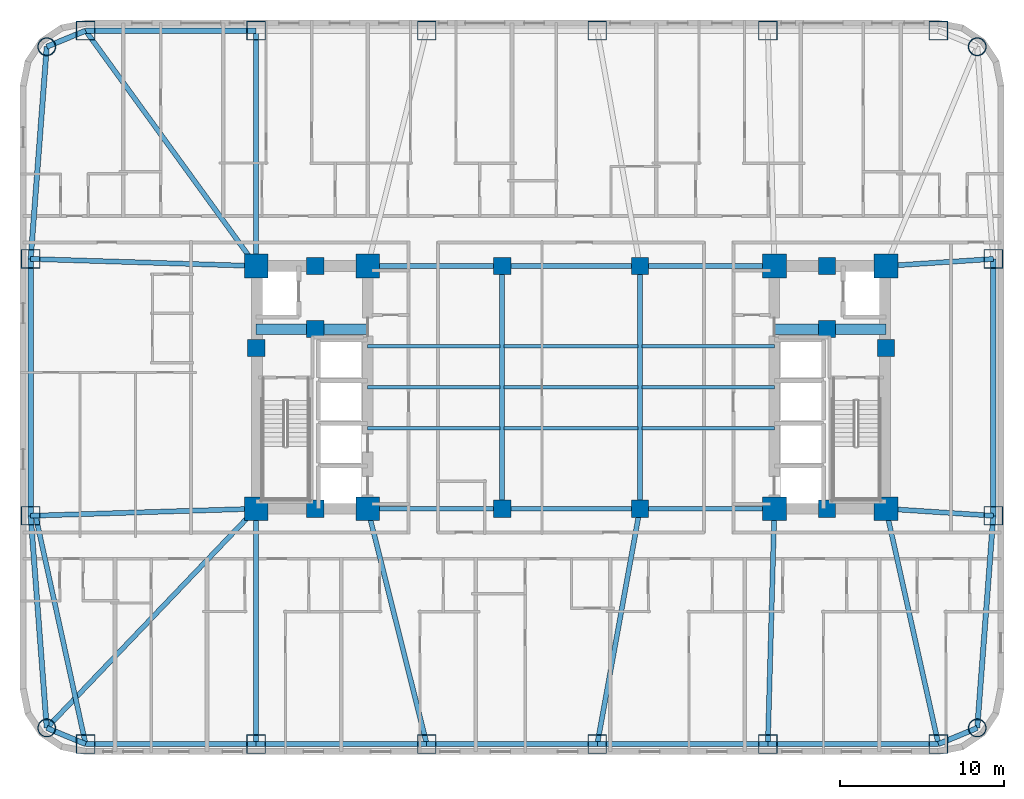
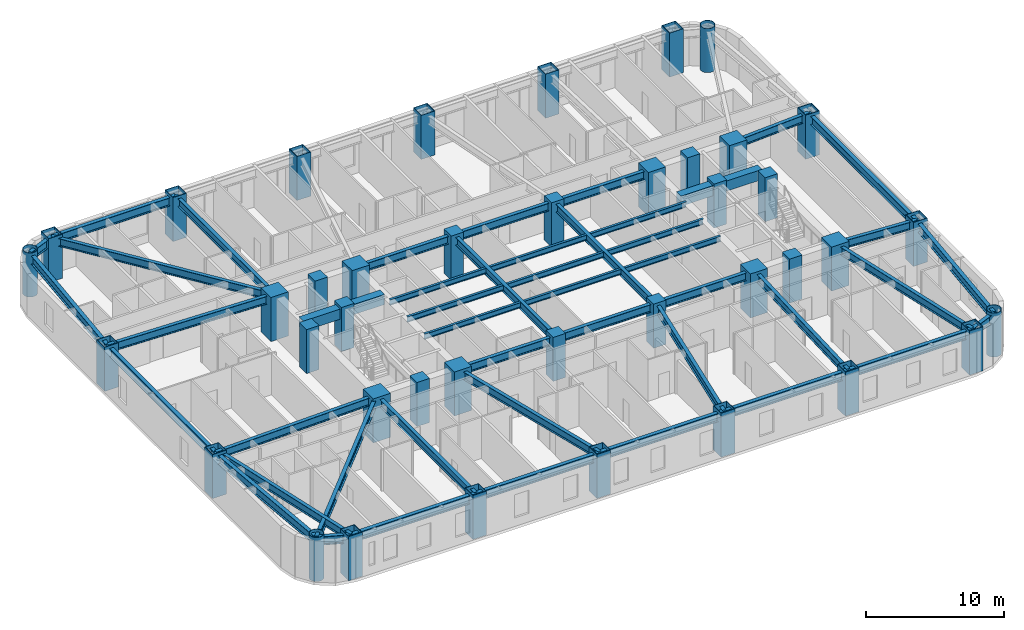
# One storey, part 1 of 12: 46 beams, 40 columns.
"""IFC4 building model written with IfcOpenShell, lengths in metres."""

from ifc_helpers import new_model, si_unit, direction, frame, origin, origin_2d, place, context, subcontext, project, spatial, rectangle, hollow_rectangle, hollow_circle, i_section, extrude, material, material_profile, profile_set, type_object, element, save


model = new_model("IFC4")

# Units and contexts
model_context = context("Model", 3, precision=1e-05, world=origin(), true_north=direction((0.0, 1.0)))
body_context = subcontext(model_context, "Body", "Model", "MODEL_VIEW")
ifc_project = project(units=[si_unit("LENGTHUNIT", "METRE"), si_unit("AREAUNIT", "SQUARE_METRE"), si_unit("VOLUMEUNIT", "CUBIC_METRE"), si_unit("PLANEANGLEUNIT", "RADIAN"), si_unit("MASSUNIT", "GRAM", prefix="KILO")], contexts=[model_context])

# Site, building, storey
site_placement = place(None, origin())
site = spatial("IfcSite", under=ifc_project, at=site_placement, CompositionType="ELEMENT")
building_placement = place(site_placement, origin())
building = spatial("IfcBuilding", under=site, at=building_placement, Name="Voryun Gate Residences", CompositionType="ELEMENT")
storey_placement = place(building_placement, frame((0.0, 0.0, 72.800048828125)))
storey = spatial("IfcBuildingStorey", under=building, at=storey_placement, Name="L17", CompositionType="ELEMENT", Elevation=72.800048828125)

# Columns
ifc_material_1 = material(Name="Concrete C50/60", Category="concrete")
ifc_material_profile_1 = material_profile(ifc_material_1, rectangle(XDim=1.050048828125, YDim=1.050048828125, at=origin_2d()), Name="RC-1050x1050")
ifc_profile_set_1 = profile_set([ifc_material_profile_1], Name="Concrete C50/60")
column_type_1 = type_object("IfcColumnType", Name="COL_CORE_1050", PredefinedType="COLUMN", material=ifc_profile_set_1)
for number, where, z_axis, x_axis, name in (
    (1, (-19.199951171875, 2.39990234375, 0.0), (0.0, 0.0, 1.0), (1.0, 0.0, 0.0), "L17 Core boundary column WC-MW"),
    (2, (-15.60009765625, -7.39990234375, 0.0), (0.0, 0.0, 1.0), (1.0, 0.0, 0.0), "L17 Core boundary column WC-SM"),
    (3, (-15.60009765625, 7.39990234375, 0.0), (0.0, 0.0, 1.0), (1.0, 0.0, 0.0), "L17 Core boundary column WC-NM"),
    (4, (-15.60009765625, 3.550048828125, 0.0), (0.0, 0.0, 1.0), (1.0, 0.0, 0.0), "L17 Core boundary column WC-MM"),
    (5, (15.60009765625, 3.550048828125, 0.0), (0.0, 0.0, 1.0), (1.0, 0.0, 0.0), "L17 Core boundary column EC-MM"),
    (6, (15.60009765625, -7.39990234375, 0.0), (0.0, 0.0, 1.0), (1.0, 0.0, 0.0), "L17 Core boundary column EC-SM"),
    (7, (15.60009765625, 7.39990234375, 0.0), (0.0, 0.0, 1.0), (1.0, 0.0, 0.0), "L17 Core boundary column EC-NM"),
    (8, (19.199951171875, 2.39990234375, 0.0), (0.0, 0.0, 1.0), (1.0, 0.0, 0.0), "L17 Core boundary column EC-ME"),
    (9, (-4.199951171875, -7.39990234375, 0.0), (0.0, 0.0, 1.0), (1.0, 0.0, 0.0), "L17 Interior spine column SP-WS"),
    (10, (-4.199951171875, 7.39990234375, 0.0), (0.0, 0.0, 1.0), (1.0, 0.0, 0.0), "L17 Interior spine column SP-WN"),
    (11, (4.199951171875, -7.39990234375, 0.0), (0.0, 0.0, 1.0), (1.0, 0.0, 0.0), "L17 Interior spine column SP-ES"),
    (12, (4.199951171875, 7.39990234375, 0.0), (0.0, 0.0, 1.0), (1.0, 0.0, 0.0), "L17 Interior spine column SP-EN"),
):
    element("IfcColumn", number, at=place(storey_placement, frame(where, z_axis=z_axis, x_axis=x_axis)), inside=storey, type_object=column_type_1, Name=name, PredefinedType="COLUMN", context=body_context, shape_type="SweptSolid", body=[
        extrude(rectangle(XDim=1.050048828125, YDim=1.050048828125, at=origin_2d()), origin(), (0.0, 0.0, 1.0), 3.89990234375),
    ])
ifc_material_2 = material(Name="Steel SM420", Category="steel")
ifc_material_profile_2 = material_profile(ifc_material_2, hollow_circle(Radius=0.550048828125, WallThickness=0.035888671875, at=origin_2d()), Name="CHS-1100x36")
ifc_profile_set_2 = profile_set([ifc_material_profile_2], Name="Steel SM420")
column_type_2 = type_object("IfcColumnType", Name="COL_CRN_1100", PredefinedType="COLUMN", material=ifc_profile_set_2)
for number, where, z_axis, x_axis, name in (
    (13, (24.768798828125, -20.768798828125, 0.0), (0.0, 0.0, 1.0), (1.0, 0.0, 0.0), "L17 Exoskeleton column CSE"),
    (14, (24.768798828125, 20.768798828125, 0.0), (0.0, 0.0, 1.0), (1.0, 0.0, 0.0), "L17 Exoskeleton column CNE"),
    (15, (-31.96875, 20.768798828125, 0.0), (0.0, 0.0, 1.0), (1.0, 0.0, 0.0), "L17 Exoskeleton column CNW"),
    (16, (-31.96875, -20.768798828125, 0.0), (0.0, 0.0, 1.0), (1.0, 0.0, 0.0), "L17 Exoskeleton column CSW"),
):
    element("IfcColumn", number, at=place(storey_placement, frame(where, z_axis=z_axis, x_axis=x_axis)), inside=storey, type_object=column_type_2, Name=name, PredefinedType="COLUMN", context=body_context, shape_type="SweptSolid", body=[
        extrude(hollow_circle(Radius=0.550048828125, WallThickness=0.035888671875, at=origin_2d()), origin(), (0.0, 0.0, 1.0), 3.89990234375),
    ])
ifc_material_3 = material(Name="Steel SM420", Category="steel")
ifc_material_profile_3 = material_profile(ifc_material_3, hollow_rectangle(XDim=1.14990234375, YDim=1.14990234375, WallThickness=0.0400390625, at=origin_2d()), Name="BOX-1150x1150x40")
ifc_profile_set_3 = profile_set([ifc_material_profile_3], Name="Steel SM420")
column_type_3 = type_object("IfcColumnType", Name="COL_EXO_B1", PredefinedType="COLUMN", material=ifc_profile_set_3)
for number, where, z_axis, x_axis, name in (
    (17, (-29.60009765625, -21.75, 0.0), (0.0, 0.0, 1.0), (1.0, 0.0, 0.0), "L17 Exoskeleton column S1"),
    (18, (-19.199951171875, -21.75, 0.0), (0.0, 0.0, 1.0), (1.0, 0.0, 0.0), "L17 Exoskeleton column S2"),
    (19, (-8.800048828125, -21.75, 0.0), (0.0, 0.0, 1.0), (1.0, 0.0, 0.0), "L17 Exoskeleton column S3"),
    (20, (1.60009765625, -21.75, 0.0), (0.0, 0.0, 1.0), (1.0, 0.0, 0.0), "L17 Exoskeleton column S4"),
    (21, (12.0, -21.75, 0.0), (0.0, 0.0, 1.0), (1.0, 0.0, 0.0), "L17 Exoskeleton column S5"),
    (22, (22.39990234375, -21.75, 0.0), (0.0, 0.0, 1.0), (1.0, 0.0, 0.0), "L17 Exoskeleton column S6"),
    (23, (25.75, -7.830078125, 0.0), (0.0, 0.0, 1.0), (1.0, 0.0, 0.0), "L17 Exoskeleton column E1"),
    (24, (25.75, 7.830078125, 0.0), (0.0, 0.0, 1.0), (1.0, 0.0, 0.0), "L17 Exoskeleton column E2"),
    (25, (22.39990234375, 21.75, 0.0), (0.0, 0.0, 1.0), (1.0, 0.0, 0.0), "L17 Exoskeleton column N1"),
    (26, (12.0, 21.75, 0.0), (0.0, 0.0, 1.0), (1.0, 0.0, 0.0), "L17 Exoskeleton column N2"),
    (27, (1.60009765625, 21.75, 0.0), (0.0, 0.0, 1.0), (1.0, 0.0, 0.0), "L17 Exoskeleton column N3"),
    (28, (-8.800048828125, 21.75, 0.0), (0.0, 0.0, 1.0), (1.0, 0.0, 0.0), "L17 Exoskeleton column N4"),
    (29, (-19.199951171875, 21.75, 0.0), (0.0, 0.0, 1.0), (1.0, 0.0, 0.0), "L17 Exoskeleton column N5"),
    (30, (-29.60009765625, 21.75, 0.0), (0.0, 0.0, 1.0), (1.0, 0.0, 0.0), "L17 Exoskeleton column N6"),
    (31, (-32.949951171875, 7.830078125, 0.0), (0.0, 0.0, 1.0), (1.0, 0.0, 0.0), "L17 Exoskeleton column W1"),
    (32, (-32.949951171875, -7.830078125, 0.0), (0.0, 0.0, 1.0), (1.0, 0.0, 0.0), "L17 Exoskeleton column W2"),
):
    element("IfcColumn", number, at=place(storey_placement, frame(where, z_axis=z_axis, x_axis=x_axis)), inside=storey, type_object=column_type_3, Name=name, PredefinedType="COLUMN", context=body_context, shape_type="SweptSolid", body=[
        extrude(hollow_rectangle(XDim=1.14990234375, YDim=1.14990234375, WallThickness=0.0400390625, at=origin_2d()), origin(), (0.0, 0.0, 1.0), 3.89990234375),
    ])
ifc_material_4 = material(Name="Concrete C60/75", Category="concrete")
ifc_material_profile_4 = material_profile(ifc_material_4, rectangle(XDim=1.449951171875, YDim=1.449951171875, at=origin_2d()), Name="RC-1450x1450")
ifc_profile_set_4 = profile_set([ifc_material_profile_4], Name="Concrete C60/75")
column_type_4 = type_object("IfcColumnType", Name="COL_MEGA_1450", PredefinedType="COLUMN", material=ifc_profile_set_4)
for number, where, z_axis, x_axis, name in (
    (33, (-19.199951171875, -7.39990234375, 0.0), (0.0, 0.0, 1.0), (1.0, 0.0, 0.0), "L17 Core boundary column WC-SW"),
    (34, (-19.199951171875, 7.39990234375, 0.0), (0.0, 0.0, 1.0), (1.0, 0.0, 0.0), "L17 Core boundary column WC-NW"),
    (35, (-12.39990234375, -7.39990234375, 0.0), (0.0, 0.0, 1.0), (1.0, 0.0, 0.0), "L17 Core boundary column WC-SE"),
    (36, (-12.39990234375, 7.39990234375, 0.0), (0.0, 0.0, 1.0), (1.0, 0.0, 0.0), "L17 Core boundary column WC-NE"),
    (37, (12.39990234375, -7.39990234375, 0.0), (0.0, 0.0, 1.0), (1.0, 0.0, 0.0), "L17 Core boundary column EC-SW"),
    (38, (12.39990234375, 7.39990234375, 0.0), (0.0, 0.0, 1.0), (1.0, 0.0, 0.0), "L17 Core boundary column EC-NW"),
    (39, (19.199951171875, -7.39990234375, 0.0), (0.0, 0.0, 1.0), (1.0, 0.0, 0.0), "L17 Core boundary column EC-SE"),
    (40, (19.199951171875, 7.39990234375, 0.0), (0.0, 0.0, 1.0), (1.0, 0.0, 0.0), "L17 Core boundary column EC-NE"),
):
    element("IfcColumn", number, at=place(storey_placement, frame(where, z_axis=z_axis, x_axis=x_axis)), inside=storey, type_object=column_type_4, Name=name, PredefinedType="COLUMN", context=body_context, shape_type="SweptSolid", body=[
        extrude(rectangle(XDim=1.449951171875, YDim=1.449951171875, at=origin_2d()), origin(), (0.0, 0.0, 1.0), 3.89990234375),
    ])

# Beams
ifc_material_5 = material(Name="Concrete C60/75", Category="concrete")
ifc_material_profile_5 = material_profile(ifc_material_5, rectangle(XDim=0.64990234375, YDim=0.89990234375, at=origin_2d()), Name="RC-650x900")
ifc_profile_set_5 = profile_set([ifc_material_profile_5], Name="Concrete C60/75")
beam_type_1 = type_object("IfcBeamType", Name="BM_COUP_RC900", PredefinedType="LINTEL", material=ifc_profile_set_5)
for number, where, z_axis, x_axis, name in (
    (41, (-19.199951171875, 3.550048828125, 3.199951171875), (1.0, 0.0, 0.0), (0.0, 1.0, 0.0), "BM-L17-WC1"),
    (42, (12.39990234375, 3.550048828125, 3.199951171875), (1.0, 0.0, 0.0), (0.0, 1.0, 0.0), "BM-L17-EC1"),
):
    element("IfcBeam", number, at=place(storey_placement, frame(where, z_axis=z_axis, x_axis=x_axis)), inside=storey, type_object=beam_type_1, Name=name, PredefinedType="LINTEL", context=body_context, shape_type="SweptSolid", body=[
        extrude(rectangle(XDim=0.64990234375, YDim=0.89990234375, at=origin_2d()), origin(), (0.0, 0.0, 1.0), 6.800048828125),
    ])
ifc_material_6 = material(Name="Steel SM355", Category="steel")
ifc_material_profile_6 = material_profile(ifc_material_6, i_section(OverallWidth=0.320068359375, OverallDepth=0.75, WebThickness=0.01611328125, FlangeThickness=0.028076171875, FilletRadius=0.01806640625, at=origin_2d()), Name="H-750x320x16x28")
ifc_profile_set_6 = profile_set([ifc_material_profile_6], Name="Steel SM355")
beam_type_2 = type_object("IfcBeamType", Name="BM_EXO_SPANDREL_L", PredefinedType="SPANDREL", material=ifc_profile_set_6)
beam_1_placement = place(storey_placement, frame((-29.60009765625, -21.75, 3.27490234375), z_axis=(1.0, 0.0, 0.0), x_axis=(0.0, 1.0, 0.0)))
element("IfcBeam", 43, at=beam_1_placement, inside=storey, type_object=beam_type_2, Name="BM-L17-SPAND-01", PredefinedType="SPANDREL", context=body_context, shape_type="SweptSolid", body=[
    extrude(i_section(OverallWidth=0.320068359375, OverallDepth=0.75, WebThickness=0.01611328125, FlangeThickness=0.028076171875, FilletRadius=0.01806640625, at=origin_2d()), origin(), (0.0, 0.0, 1.0), 10.400146484375),
])
beam_2_placement = place(storey_placement, frame((-19.199951171875, -21.75, 3.27490234375), z_axis=(1.0, 0.0, 0.0), x_axis=(0.0, 1.0, 0.0)))
element("IfcBeam", 44, at=beam_2_placement, inside=storey, type_object=beam_type_2, Name="BM-L17-SPAND-02", PredefinedType="SPANDREL", context=body_context, shape_type="SweptSolid", body=[
    extrude(i_section(OverallWidth=0.320068359375, OverallDepth=0.75, WebThickness=0.01611328125, FlangeThickness=0.028076171875, FilletRadius=0.01806640625, at=origin_2d()), origin(), (0.0, 0.0, 1.0), 10.39990234375),
])
beam_3_placement = place(storey_placement, frame((-8.800048828125, -21.75, 3.27490234375), z_axis=(1.0, 0.0, 0.0), x_axis=(0.0, 1.0, 0.0)))
element("IfcBeam", 45, at=beam_3_placement, inside=storey, type_object=beam_type_2, Name="BM-L17-SPAND-03", PredefinedType="SPANDREL", context=body_context, shape_type="SweptSolid", body=[
    extrude(i_section(OverallWidth=0.320068359375, OverallDepth=0.75, WebThickness=0.01611328125, FlangeThickness=0.028076171875, FilletRadius=0.01806640625, at=origin_2d()), origin(), (0.0, 0.0, 1.0), 10.400146484375),
])
for number, where, z_axis, x_axis, name in (
    (46, (1.60009765625, -21.75, 3.27490234375), (1.0, 0.0, 0.0), (0.0, 1.0, 0.0), "BM-L17-SPAND-04"),
    (47, (12.0, -21.75, 3.27490234375), (1.0, 0.0, 0.0), (0.0, 1.0, 0.0), "BM-L17-SPAND-05"),
):
    element("IfcBeam", number, at=place(storey_placement, frame(where, z_axis=z_axis, x_axis=x_axis)), inside=storey, type_object=beam_type_2, Name=name, PredefinedType="SPANDREL", context=body_context, shape_type="SweptSolid", body=[
        extrude(i_section(OverallWidth=0.320068359375, OverallDepth=0.75, WebThickness=0.01611328125, FlangeThickness=0.028076171875, FilletRadius=0.01806640625, at=origin_2d()), origin(), (0.0, 0.0, 1.0), 10.39990234375),
    ])
beam_4_placement = place(storey_placement, frame((22.39990234375, -21.75, 3.27490234375), z_axis=(0.923883376753, 0.382674151414, 0.0), x_axis=(-0.382674151414, 0.923883376753, 0.0)))
element("IfcBeam", 48, at=beam_4_placement, inside=storey, type_object=beam_type_2, Name="BM-L17-SPAND-06", PredefinedType="SPANDREL", context=body_context, shape_type="SweptSolid", body=[
    extrude(i_section(OverallWidth=0.320068359375, OverallDepth=0.75, WebThickness=0.01611328125, FlangeThickness=0.028076171875, FilletRadius=0.01806640625, at=origin_2d()), origin(), (0.0, 0.0, 1.0), 2.56396484375),
])
beam_5_placement = place(storey_placement, frame((24.768798828125, -20.768798828125, 3.27490234375), z_axis=(0.075617360159, 0.997136908776, 0.0), x_axis=(-0.997136908776, 0.075617360159, 0.0)))
element("IfcBeam", 49, at=beam_5_placement, inside=storey, type_object=beam_type_2, Name="BM-L17-SPAND-07", PredefinedType="SPANDREL", context=body_context, shape_type="SweptSolid", body=[
    extrude(i_section(OverallWidth=0.320068359375, OverallDepth=0.75, WebThickness=0.01611328125, FlangeThickness=0.028076171875, FilletRadius=0.01806640625, at=origin_2d()), origin(), (0.0, 0.0, 1.0), 12.975830078125),
])
beam_6_placement = place(storey_placement, frame((25.75, -7.830078125, 3.27490234375), z_axis=(0.0, 1.0, 0.0), x_axis=(-1.0, 0.0, 0.0)))
element("IfcBeam", 50, at=beam_6_placement, inside=storey, type_object=beam_type_2, Name="BM-L17-SPAND-08", PredefinedType="SPANDREL", context=body_context, shape_type="SweptSolid", body=[
    extrude(i_section(OverallWidth=0.320068359375, OverallDepth=0.75, WebThickness=0.01611328125, FlangeThickness=0.028076171875, FilletRadius=0.01806640625, at=origin_2d()), origin(), (0.0, 0.0, 1.0), 15.66015625),
])
beam_7_placement = place(storey_placement, frame((-19.199951171875, 21.75, 3.27490234375), z_axis=(-1.0, 0.0, 0.0), x_axis=(0.0, -1.0, 0.0)))
element("IfcBeam", 51, at=beam_7_placement, inside=storey, type_object=beam_type_2, Name="BM-L17-SPAND-15", PredefinedType="SPANDREL", context=body_context, shape_type="SweptSolid", body=[
    extrude(i_section(OverallWidth=0.320068359375, OverallDepth=0.75, WebThickness=0.01611328125, FlangeThickness=0.028076171875, FilletRadius=0.01806640625, at=origin_2d()), origin(), (0.0, 0.0, 1.0), 10.400146484375),
])
beam_8_placement = place(storey_placement, frame((-29.60009765625, 21.75, 3.27490234375), z_axis=(-0.92386943149, -0.382707817477, 0.0), x_axis=(0.382707817477, -0.92386943149, 0.0)))
element("IfcBeam", 52, at=beam_8_placement, inside=storey, type_object=beam_type_2, Name="BM-L17-SPAND-16", PredefinedType="SPANDREL", context=body_context, shape_type="SweptSolid", body=[
    extrude(i_section(OverallWidth=0.320068359375, OverallDepth=0.75, WebThickness=0.01611328125, FlangeThickness=0.028076171875, FilletRadius=0.01806640625, at=origin_2d()), origin(), (0.0, 0.0, 1.0), 2.563720703125),
])
beam_9_placement = place(storey_placement, frame((-31.96875, 20.768798828125, 3.27490234375), z_axis=(-0.075617360159, -0.997136908776, 0.0), x_axis=(0.997136908776, -0.075617360159, 0.0)))
element("IfcBeam", 53, at=beam_9_placement, inside=storey, type_object=beam_type_2, Name="BM-L17-SPAND-17", PredefinedType="SPANDREL", context=body_context, shape_type="SweptSolid", body=[
    extrude(i_section(OverallWidth=0.320068359375, OverallDepth=0.75, WebThickness=0.01611328125, FlangeThickness=0.028076171875, FilletRadius=0.01806640625, at=origin_2d()), origin(), (0.0, 0.0, 1.0), 12.975830078125),
])
beam_10_placement = place(storey_placement, frame((-32.949951171875, 7.830078125, 3.27490234375), z_axis=(0.0, -1.0, 0.0), x_axis=(1.0, 0.0, 0.0)))
element("IfcBeam", 54, at=beam_10_placement, inside=storey, type_object=beam_type_2, Name="BM-L17-SPAND-18", PredefinedType="SPANDREL", context=body_context, shape_type="SweptSolid", body=[
    extrude(i_section(OverallWidth=0.320068359375, OverallDepth=0.75, WebThickness=0.01611328125, FlangeThickness=0.028076171875, FilletRadius=0.01806640625, at=origin_2d()), origin(), (0.0, 0.0, 1.0), 15.66015625),
])
beam_11_placement = place(storey_placement, frame((-32.949951171875, -7.830078125, 3.27490234375), z_axis=(0.075617360159, -0.997136908776, 0.0), x_axis=(0.997136908776, 0.075617360159, 0.0)))
element("IfcBeam", 55, at=beam_11_placement, inside=storey, type_object=beam_type_2, Name="BM-L17-SPAND-19", PredefinedType="SPANDREL", context=body_context, shape_type="SweptSolid", body=[
    extrude(i_section(OverallWidth=0.320068359375, OverallDepth=0.75, WebThickness=0.01611328125, FlangeThickness=0.028076171875, FilletRadius=0.01806640625, at=origin_2d()), origin(), (0.0, 0.0, 1.0), 12.975830078125),
])
beam_12_placement = place(storey_placement, frame((-31.96875, -20.768798828125, 3.27490234375), z_axis=(0.92386943149, -0.382707817477, 0.0), x_axis=(0.382707817477, 0.92386943149, 0.0)))
element("IfcBeam", 56, at=beam_12_placement, inside=storey, type_object=beam_type_2, Name="BM-L17-SPAND-20", PredefinedType="SPANDREL", context=body_context, shape_type="SweptSolid", body=[
    extrude(i_section(OverallWidth=0.320068359375, OverallDepth=0.75, WebThickness=0.01611328125, FlangeThickness=0.028076171875, FilletRadius=0.01806640625, at=origin_2d()), origin(), (0.0, 0.0, 1.0), 2.563720703125),
])
ifc_material_7 = material(Name="Steel SM355", Category="steel")
ifc_material_profile_7 = material_profile(ifc_material_7, i_section(OverallWidth=0.300048828125, OverallDepth=0.699951171875, WebThickness=0.012939453125, FlangeThickness=0.02392578125, FilletRadius=0.01806640625, at=origin_2d()), Name="H-700x300x13x24")
ifc_profile_set_7 = profile_set([ifc_material_profile_7], Name="Steel SM355")
beam_type_3 = type_object("IfcBeamType", Name="BM_GIRD_700", PredefinedType="USERDEFINED", material=ifc_profile_set_7)
beam_13_placement = place(storey_placement, frame((-12.39990234375, -7.39990234375, 3.300048828125), z_axis=(1.0, 0.0, 0.0), x_axis=(0.0, 1.0, 0.0)))
element("IfcBeam", 57, at=beam_13_placement, inside=storey, type_object=beam_type_3, Name="BM-L17-SPG1-S", ObjectType="GIRDER", PredefinedType="USERDEFINED", context=body_context, shape_type="SweptSolid", body=[
    extrude(i_section(OverallWidth=0.300048828125, OverallDepth=0.699951171875, WebThickness=0.012939453125, FlangeThickness=0.02392578125, FilletRadius=0.01806640625, at=origin_2d()), origin(), (0.0, 0.0, 1.0), 8.199951171875),
])
beam_14_placement = place(storey_placement, frame((-4.199951171875, -7.39990234375, 3.300048828125), z_axis=(1.0, 0.0, 0.0), x_axis=(0.0, 1.0, 0.0)))
element("IfcBeam", 58, at=beam_14_placement, inside=storey, type_object=beam_type_3, Name="BM-L17-SPG2-S", ObjectType="GIRDER", PredefinedType="USERDEFINED", context=body_context, shape_type="SweptSolid", body=[
    extrude(i_section(OverallWidth=0.300048828125, OverallDepth=0.699951171875, WebThickness=0.012939453125, FlangeThickness=0.02392578125, FilletRadius=0.01806640625, at=origin_2d()), origin(), (0.0, 0.0, 1.0), 8.39990234375),
])
for number, where, z_axis, x_axis, name in (
    (59, (4.199951171875, -7.39990234375, 3.300048828125), (1.0, 0.0, 0.0), (0.0, 1.0, 0.0), "BM-L17-SPG3-S"),
    (60, (-12.39990234375, 7.39990234375, 3.300048828125), (1.0, 0.0, 0.0), (0.0, 1.0, 0.0), "BM-L17-SPG1-N"),
):
    element("IfcBeam", number, at=place(storey_placement, frame(where, z_axis=z_axis, x_axis=x_axis)), inside=storey, type_object=beam_type_3, Name=name, ObjectType="GIRDER", PredefinedType="USERDEFINED", context=body_context, shape_type="SweptSolid", body=[
        extrude(i_section(OverallWidth=0.300048828125, OverallDepth=0.699951171875, WebThickness=0.012939453125, FlangeThickness=0.02392578125, FilletRadius=0.01806640625, at=origin_2d()), origin(), (0.0, 0.0, 1.0), 8.199951171875),
    ])
beam_15_placement = place(storey_placement, frame((-4.199951171875, 7.39990234375, 3.300048828125), z_axis=(1.0, 0.0, 0.0), x_axis=(0.0, 1.0, 0.0)))
element("IfcBeam", 61, at=beam_15_placement, inside=storey, type_object=beam_type_3, Name="BM-L17-SPG2-N", ObjectType="GIRDER", PredefinedType="USERDEFINED", context=body_context, shape_type="SweptSolid", body=[
    extrude(i_section(OverallWidth=0.300048828125, OverallDepth=0.699951171875, WebThickness=0.012939453125, FlangeThickness=0.02392578125, FilletRadius=0.01806640625, at=origin_2d()), origin(), (0.0, 0.0, 1.0), 8.39990234375),
])
beam_16_placement = place(storey_placement, frame((4.199951171875, 7.39990234375, 3.300048828125), z_axis=(1.0, 0.0, 0.0), x_axis=(0.0, 1.0, 0.0)))
element("IfcBeam", 62, at=beam_16_placement, inside=storey, type_object=beam_type_3, Name="BM-L17-SPG3-N", ObjectType="GIRDER", PredefinedType="USERDEFINED", context=body_context, shape_type="SweptSolid", body=[
    extrude(i_section(OverallWidth=0.300048828125, OverallDepth=0.699951171875, WebThickness=0.012939453125, FlangeThickness=0.02392578125, FilletRadius=0.01806640625, at=origin_2d()), origin(), (0.0, 0.0, 1.0), 8.199951171875),
])
for number, where, z_axis, x_axis, name in (
    (63, (-4.199951171875, -7.39990234375, 3.300048828125), (0.0, 1.0, 0.0), (-1.0, 0.0, 0.0), "BM-L17-SPX-W"),
    (64, (4.199951171875, -7.39990234375, 3.300048828125), (0.0, 1.0, 0.0), (-1.0, 0.0, 0.0), "BM-L17-SPX-E"),
):
    element("IfcBeam", number, at=place(storey_placement, frame(where, z_axis=z_axis, x_axis=x_axis)), inside=storey, type_object=beam_type_3, Name=name, ObjectType="GIRDER", PredefinedType="USERDEFINED", context=body_context, shape_type="SweptSolid", body=[
        extrude(i_section(OverallWidth=0.300048828125, OverallDepth=0.699951171875, WebThickness=0.012939453125, FlangeThickness=0.02392578125, FilletRadius=0.01806640625, at=origin_2d()), origin(), (0.0, 0.0, 1.0), 14.7998046875),
    ])
beam_17_placement = place(storey_placement, frame((-32.64990234375, -7.830078125, 3.300048828125), z_axis=(0.214019782918, -0.976829326198, 0.0), x_axis=(0.976829326198, 0.214019782918, 0.0)))
element("IfcBeam", 65, at=beam_17_placement, inside=storey, type_object=beam_type_3, Name="BM-L17-RAD-S1", ObjectType="GIRDER", PredefinedType="USERDEFINED", context=body_context, shape_type="SweptSolid", body=[
    extrude(i_section(OverallWidth=0.300048828125, OverallDepth=0.699951171875, WebThickness=0.012939453125, FlangeThickness=0.02392578125, FilletRadius=0.01806640625, at=origin_2d()), origin(), (0.0, 0.0, 1.0), 14.25),
])
beam_18_placement = place(storey_placement, frame((-19.199951171875, -7.39990234375, 3.300048828125), z_axis=(0.0, -1.0, 0.0), x_axis=(1.0, 0.0, 0.0)))
element("IfcBeam", 66, at=beam_18_placement, inside=storey, type_object=beam_type_3, Name="BM-L17-RAD-S2", ObjectType="GIRDER", PredefinedType="USERDEFINED", context=body_context, shape_type="SweptSolid", body=[
    extrude(i_section(OverallWidth=0.300048828125, OverallDepth=0.699951171875, WebThickness=0.012939453125, FlangeThickness=0.02392578125, FilletRadius=0.01806640625, at=origin_2d()), origin(), (0.0, 0.0, 1.0), 14.35009765625),
])
beam_19_placement = place(storey_placement, frame((-12.39990234375, -7.39990234375, 3.300048828125), z_axis=(0.243319869291, -0.969946102218, 0.0), x_axis=(0.969946102218, 0.243319869291, 0.0)))
element("IfcBeam", 67, at=beam_19_placement, inside=storey, type_object=beam_type_3, Name="BM-L17-RAD-S3", ObjectType="GIRDER", PredefinedType="USERDEFINED", context=body_context, shape_type="SweptSolid", body=[
    extrude(i_section(OverallWidth=0.300048828125, OverallDepth=0.699951171875, WebThickness=0.012939453125, FlangeThickness=0.02392578125, FilletRadius=0.01806640625, at=origin_2d()), origin(), (0.0, 0.0, 1.0), 14.794677734375),
])
beam_20_placement = place(storey_placement, frame((4.199951171875, -7.39990234375, 3.300048828125), z_axis=(-0.178271088758, -0.983981411874, 0.0), x_axis=(0.983981411874, -0.178271088758, 0.0)))
element("IfcBeam", 68, at=beam_20_placement, inside=storey, type_object=beam_type_3, Name="BM-L17-RAD-S4", ObjectType="GIRDER", PredefinedType="USERDEFINED", context=body_context, shape_type="SweptSolid", body=[
    extrude(i_section(OverallWidth=0.300048828125, OverallDepth=0.699951171875, WebThickness=0.012939453125, FlangeThickness=0.02392578125, FilletRadius=0.01806640625, at=origin_2d()), origin(), (0.0, 0.0, 1.0), 14.583740234375),
])
beam_21_placement = place(storey_placement, frame((12.39990234375, -7.39990234375, 3.300048828125), z_axis=(-0.0278567548, -0.999611925305, 0.0), x_axis=(0.999611925305, -0.0278567548, 0.0)))
element("IfcBeam", 69, at=beam_21_placement, inside=storey, type_object=beam_type_3, Name="BM-L17-RAD-S5", ObjectType="GIRDER", PredefinedType="USERDEFINED", context=body_context, shape_type="SweptSolid", body=[
    extrude(i_section(OverallWidth=0.300048828125, OverallDepth=0.699951171875, WebThickness=0.012939453125, FlangeThickness=0.02392578125, FilletRadius=0.01806640625, at=origin_2d()), origin(), (0.0, 0.0, 1.0), 14.355712890625),
])
beam_22_placement = place(storey_placement, frame((19.199951171875, -7.39990234375, 3.300048828125), z_axis=(0.217645991352, -0.976027777498, 0.0), x_axis=(0.976027777498, 0.217645991352, 0.0)))
element("IfcBeam", 70, at=beam_22_placement, inside=storey, type_object=beam_type_3, Name="BM-L17-RAD-S6", ObjectType="GIRDER", PredefinedType="USERDEFINED", context=body_context, shape_type="SweptSolid", body=[
    extrude(i_section(OverallWidth=0.300048828125, OverallDepth=0.699951171875, WebThickness=0.012939453125, FlangeThickness=0.02392578125, FilletRadius=0.01806640625, at=origin_2d()), origin(), (0.0, 0.0, 1.0), 14.70263671875),
])
for number, where, z_axis, x_axis, name in (
    (71, (19.199951171875, -7.39990234375, 3.300048828125), (0.997850335415, -0.06553402255, 0.0), (0.06553402255, 0.997850335415, 0.0), "BM-L17-RAD-E1"),
    (72, (19.199951171875, 7.39990234375, 3.300048828125), (0.997850335415, 0.06553402255, 0.0), (-0.06553402255, 0.997850335415, 0.0), "BM-L17-RAD-E2"),
):
    element("IfcBeam", number, at=place(storey_placement, frame(where, z_axis=z_axis, x_axis=x_axis)), inside=storey, type_object=beam_type_3, Name=name, ObjectType="GIRDER", PredefinedType="USERDEFINED", context=body_context, shape_type="SweptSolid", body=[
        extrude(i_section(OverallWidth=0.300048828125, OverallDepth=0.699951171875, WebThickness=0.012939453125, FlangeThickness=0.02392578125, FilletRadius=0.01806640625, at=origin_2d()), origin(), (0.0, 0.0, 1.0), 6.564208984375),
    ])
beam_23_placement = place(storey_placement, frame((-19.199951171875, 7.39990234375, 3.300048828125), z_axis=(0.0, 1.0, 0.0), x_axis=(-1.0, 0.0, 0.0)))
element("IfcBeam", 73, at=beam_23_placement, inside=storey, type_object=beam_type_3, Name="BM-L17-RAD-N5", ObjectType="GIRDER", PredefinedType="USERDEFINED", context=body_context, shape_type="SweptSolid", body=[
    extrude(i_section(OverallWidth=0.300048828125, OverallDepth=0.699951171875, WebThickness=0.012939453125, FlangeThickness=0.02392578125, FilletRadius=0.01806640625, at=origin_2d()), origin(), (0.0, 0.0, 1.0), 14.35009765625),
])
beam_24_placement = place(storey_placement, frame((-19.199951171875, 7.39990234375, 3.300048828125), z_axis=(-0.586831668391, 0.80970895572, 0.0), x_axis=(-0.80970895572, -0.586831668391, 0.0)))
element("IfcBeam", 74, at=beam_24_placement, inside=storey, type_object=beam_type_3, Name="BM-L17-RAD-N6", ObjectType="GIRDER", PredefinedType="USERDEFINED", context=body_context, shape_type="SweptSolid", body=[
    extrude(i_section(OverallWidth=0.300048828125, OverallDepth=0.699951171875, WebThickness=0.012939453125, FlangeThickness=0.02392578125, FilletRadius=0.01806640625, at=origin_2d()), origin(), (0.0, 0.0, 1.0), 17.72265625),
])
for number, where, z_axis, x_axis, name in (
    (75, (-19.199951171875, 7.39990234375, 3.300048828125), (-0.999510967353, 0.031270211727, 0.0), (-0.031270211727, -0.999510967353, 0.0), "BM-L17-RAD-W1"),
    (76, (-19.199951171875, -7.39990234375, 3.300048828125), (-0.999510967353, -0.031270211727, 0.0), (0.031270211727, -0.999510967353, 0.0), "BM-L17-RAD-W2"),
):
    element("IfcBeam", number, at=place(storey_placement, frame(where, z_axis=z_axis, x_axis=x_axis)), inside=storey, type_object=beam_type_3, Name=name, ObjectType="GIRDER", PredefinedType="USERDEFINED", context=body_context, shape_type="SweptSolid", body=[
        extrude(i_section(OverallWidth=0.300048828125, OverallDepth=0.699951171875, WebThickness=0.012939453125, FlangeThickness=0.02392578125, FilletRadius=0.01806640625, at=origin_2d()), origin(), (0.0, 0.0, 1.0), 13.7568359375),
    ])
beam_25_placement = place(storey_placement, frame((-19.199951171875, -7.39990234375, 3.300048828125), z_axis=(-0.69069023987, -0.723150739852, 0.0), x_axis=(0.723150739852, -0.69069023987, 0.0)))
element("IfcBeam", 77, at=beam_25_placement, inside=storey, type_object=beam_type_3, Name="BM-L17-RAD-CSW", ObjectType="GIRDER", PredefinedType="USERDEFINED", context=body_context, shape_type="SweptSolid", body=[
    extrude(i_section(OverallWidth=0.300048828125, OverallDepth=0.699951171875, WebThickness=0.012939453125, FlangeThickness=0.02392578125, FilletRadius=0.01806640625, at=origin_2d()), origin(), (0.0, 0.0, 1.0), 18.487060546875),
])
ifc_material_8 = material(Name="Steel SM355", Category="steel")
ifc_material_profile_8 = material_profile(ifc_material_8, i_section(OverallWidth=0.199951171875, OverallDepth=0.47998046875, WebThickness=0.010009765625, FlangeThickness=0.01806640625, FilletRadius=0.01806640625, at=origin_2d()), Name="H-480x200x10x18")
ifc_profile_set_8 = profile_set([ifc_material_profile_8], Name="Steel SM355")
beam_type_4 = type_object("IfcBeamType", Name="BM_SEC_480", PredefinedType="BEAM", material=ifc_profile_set_8)
beam_26_placement = place(storey_placement, frame((-12.39990234375, -2.5, 3.409912109375), z_axis=(1.0, 0.0, 0.0), x_axis=(0.0, 1.0, 0.0)))
element("IfcBeam", 78, at=beam_26_placement, inside=storey, type_object=beam_type_4, Name="BM-L17-SEC-CS1", PredefinedType="BEAM", context=body_context, shape_type="SweptSolid", body=[
    extrude(i_section(OverallWidth=0.199951171875, OverallDepth=0.47998046875, WebThickness=0.010009765625, FlangeThickness=0.01806640625, FilletRadius=0.01806640625, at=origin_2d()), origin(), (0.0, 0.0, 1.0), 8.074951171875),
])
beam_27_placement = place(storey_placement, frame((-4.074951171875, -2.5, 3.409912109375), z_axis=(1.0, 0.0, 0.0), x_axis=(0.0, 1.0, 0.0)))
element("IfcBeam", 79, at=beam_27_placement, inside=storey, type_object=beam_type_4, Name="BM-L17-SEC-CS2", PredefinedType="BEAM", context=body_context, shape_type="SweptSolid", body=[
    extrude(i_section(OverallWidth=0.199951171875, OverallDepth=0.47998046875, WebThickness=0.010009765625, FlangeThickness=0.01806640625, FilletRadius=0.01806640625, at=origin_2d()), origin(), (0.0, 0.0, 1.0), 8.14990234375),
])
for number, where, z_axis, x_axis, name in (
    (80, (4.324951171875, -2.5, 3.409912109375), (1.0, 0.0, 0.0), (0.0, 1.0, 0.0), "BM-L17-SEC-CS3"),
    (81, (-12.39990234375, 0.0, 3.409912109375), (1.0, 0.0, 0.0), (0.0, 1.0, 0.0), "BM-L17-SEC-CM1"),
):
    element("IfcBeam", number, at=place(storey_placement, frame(where, z_axis=z_axis, x_axis=x_axis)), inside=storey, type_object=beam_type_4, Name=name, PredefinedType="BEAM", context=body_context, shape_type="SweptSolid", body=[
        extrude(i_section(OverallWidth=0.199951171875, OverallDepth=0.47998046875, WebThickness=0.010009765625, FlangeThickness=0.01806640625, FilletRadius=0.01806640625, at=origin_2d()), origin(), (0.0, 0.0, 1.0), 8.074951171875),
    ])
beam_28_placement = place(storey_placement, frame((-4.074951171875, 0.0, 3.409912109375), z_axis=(1.0, 0.0, 0.0), x_axis=(0.0, 1.0, 0.0)))
element("IfcBeam", 82, at=beam_28_placement, inside=storey, type_object=beam_type_4, Name="BM-L17-SEC-CM2", PredefinedType="BEAM", context=body_context, shape_type="SweptSolid", body=[
    extrude(i_section(OverallWidth=0.199951171875, OverallDepth=0.47998046875, WebThickness=0.010009765625, FlangeThickness=0.01806640625, FilletRadius=0.01806640625, at=origin_2d()), origin(), (0.0, 0.0, 1.0), 8.14990234375),
])
for number, where, z_axis, x_axis, name in (
    (83, (4.324951171875, 0.0, 3.409912109375), (1.0, 0.0, 0.0), (0.0, 1.0, 0.0), "BM-L17-SEC-CM3"),
    (84, (-12.39990234375, 2.5, 3.409912109375), (1.0, 0.0, 0.0), (0.0, 1.0, 0.0), "BM-L17-SEC-CN1"),
):
    element("IfcBeam", number, at=place(storey_placement, frame(where, z_axis=z_axis, x_axis=x_axis)), inside=storey, type_object=beam_type_4, Name=name, PredefinedType="BEAM", context=body_context, shape_type="SweptSolid", body=[
        extrude(i_section(OverallWidth=0.199951171875, OverallDepth=0.47998046875, WebThickness=0.010009765625, FlangeThickness=0.01806640625, FilletRadius=0.01806640625, at=origin_2d()), origin(), (0.0, 0.0, 1.0), 8.074951171875),
    ])
beam_29_placement = place(storey_placement, frame((-4.074951171875, 2.5, 3.409912109375), z_axis=(1.0, 0.0, 0.0), x_axis=(0.0, 1.0, 0.0)))
element("IfcBeam", 85, at=beam_29_placement, inside=storey, type_object=beam_type_4, Name="BM-L17-SEC-CN2", PredefinedType="BEAM", context=body_context, shape_type="SweptSolid", body=[
    extrude(i_section(OverallWidth=0.199951171875, OverallDepth=0.47998046875, WebThickness=0.010009765625, FlangeThickness=0.01806640625, FilletRadius=0.01806640625, at=origin_2d()), origin(), (0.0, 0.0, 1.0), 8.14990234375),
])
beam_30_placement = place(storey_placement, frame((4.324951171875, 2.5, 3.409912109375), z_axis=(1.0, 0.0, 0.0), x_axis=(0.0, 1.0, 0.0)))
element("IfcBeam", 86, at=beam_30_placement, inside=storey, type_object=beam_type_4, Name="BM-L17-SEC-CN3", PredefinedType="BEAM", context=body_context, shape_type="SweptSolid", body=[
    extrude(i_section(OverallWidth=0.199951171875, OverallDepth=0.47998046875, WebThickness=0.010009765625, FlangeThickness=0.01806640625, FilletRadius=0.01806640625, at=origin_2d()), origin(), (0.0, 0.0, 1.0), 8.074951171875),
])

save(model, "model.ifc")
